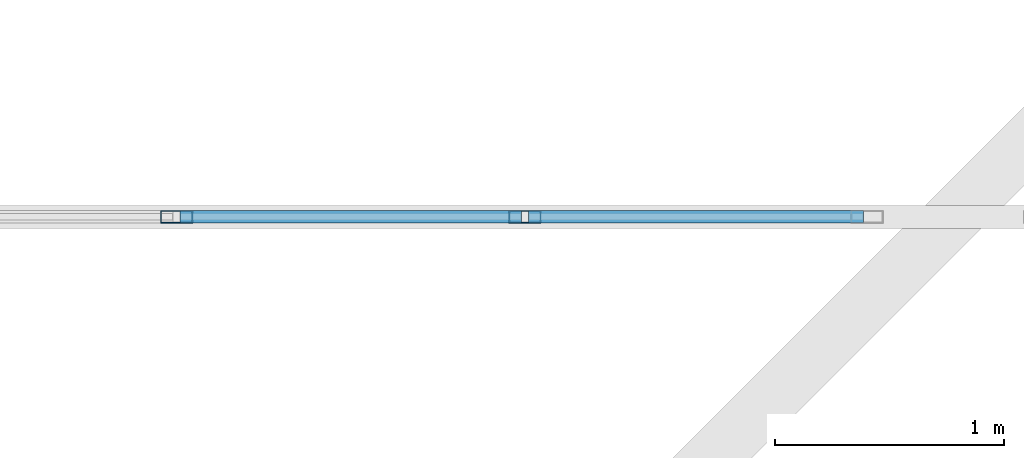
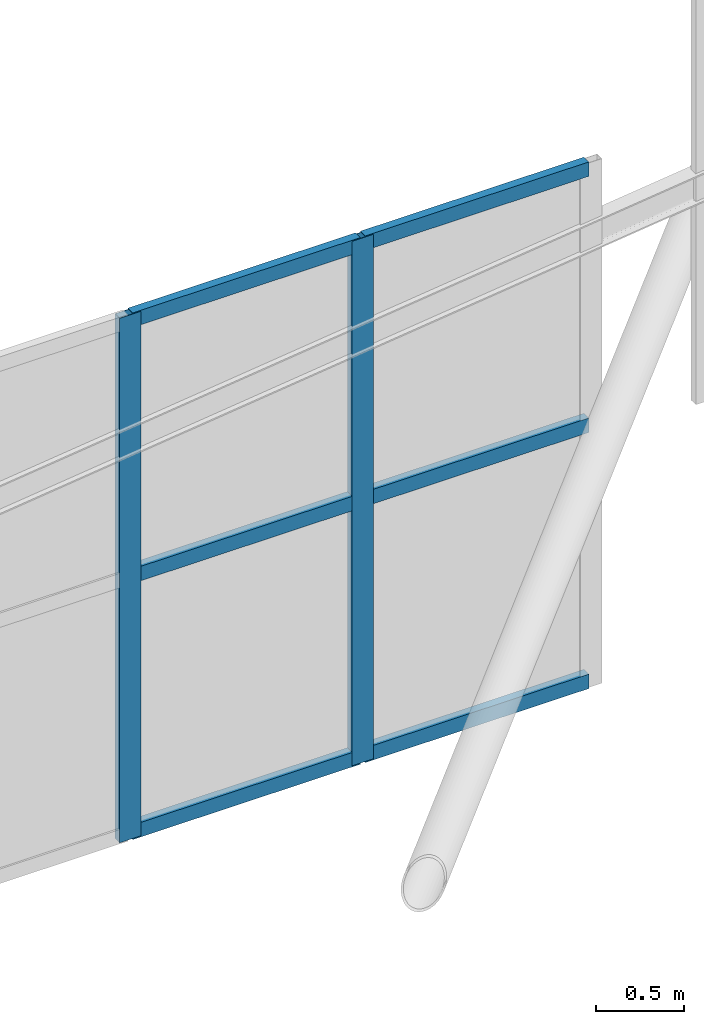
# One storey, part 28 of 397: 8 members, 1 element without a shape of its own.
"""IFC4 building model written with IfcOpenShell, lengths in metres."""

from ifc_helpers import new_model, si_unit, direction, frame, origin, origin_2d, place, context, subcontext, project, spatial, hollow_rectangle, extrude, material, material_profile, profile_set, type_object, element, aggregate, save


model = new_model("IFC4")

# Units and contexts
model_context = context("Model", 3, precision=1e-05, world=origin(), true_north=direction((0.0, 1.0)))
body_context = subcontext(model_context, "Body", "Model", "MODEL_VIEW")
ifc_project = project(units=[si_unit("LENGTHUNIT", "METRE"), si_unit("AREAUNIT", "SQUARE_METRE"), si_unit("VOLUMEUNIT", "CUBIC_METRE"), si_unit("PLANEANGLEUNIT", "RADIAN"), si_unit("MASSUNIT", "GRAM", prefix="KILO")], contexts=[model_context])

# Site, building, storey
site_placement = place(None, origin())
site = spatial("IfcSite", under=ifc_project, at=site_placement, CompositionType="ELEMENT")
building_placement = place(site_placement, origin())
building = spatial("IfcBuilding", under=site, at=building_placement, Name="Qandorah Velis Arena", CompositionType="ELEMENT")
storey_placement = place(building_placement, frame((0.0, 0.0, 27.5)))
storey = spatial("IfcBuildingStorey", under=building, at=storey_placement, Name="RF", CompositionType="ELEMENT", Elevation=27.5)

# Curtain wall, members
ifc_material_1 = material(Name="Solar-control low-E double glazing", Category="glass")
curtain_wall_type = type_object("IfcCurtainWallType", Name="ARC-CW-SYS19", PredefinedType="USERDEFINED", material=ifc_material_1)
curtain_wall_placement = place(storey_placement, origin())
curtain_wall = element("IfcCurtainWall", 1, at=curtain_wall_placement, inside=storey, type_object=curtain_wall_type, Name="Unitised curtain wall MON-3-1", ObjectType="UNITISED CURTAIN WALL", PredefinedType="USERDEFINED")
ifc_material_2 = material(Name="Champagne-bronze anodized aluminium 6063-T6", Category="aluminium")
ifc_material_profile_1 = material_profile(ifc_material_2, hollow_rectangle(XDim=0.054931640625, YDim=0.139892578125, WallThickness=0.0029296875, at=origin_2d()), Name="ALU MULLION 55x140")
ifc_profile_set_1 = profile_set([ifc_material_profile_1], Name="Champagne-bronze anodized aluminium 6063-T6")
member_type_1 = type_object("IfcMemberType", Name="ARC-CWM-140", PredefinedType="MULLION", material=ifc_profile_set_1)
member_1_placement = place(storey_placement, frame((32.60546875, 21.60009765625, 3.625732421875), z_axis=(0.0, 0.0, 1.0), x_axis=(0.0, 1.0, 0.0)))
member_1 = element("IfcMember", 2, at=member_1_placement, type_object=member_type_1, Name="CW19 mullion 8", PredefinedType="MULLION", context=body_context, shape_type="SweptSolid", body=[
    extrude(hollow_rectangle(XDim=0.054931640625, YDim=0.139892578125, WallThickness=0.0029296875, at=origin_2d()), origin(), (0.0, 0.0, 1.0), 3.630126953125),
])
member_2_placement = place(storey_placement, frame((34.127685546875, 21.60009765625, 3.625732421875), z_axis=(0.0, 0.0, 1.0), x_axis=(0.0, 1.0, 0.0)))
member_2 = element("IfcMember", 3, at=member_2_placement, type_object=member_type_1, Name="CW19 mullion 9", PredefinedType="MULLION", context=body_context, shape_type="SweptSolid", body=[
    extrude(hollow_rectangle(XDim=0.054931640625, YDim=0.139892578125, WallThickness=0.0029296875, at=origin_2d()), origin(), (0.0, 0.0, 1.0), 3.630126953125),
])
ifc_material_profile_2 = material_profile(ifc_material_2, hollow_rectangle(XDim=0.054931640625, YDim=0.10009765625, WallThickness=0.0029296875, at=origin_2d()), Name="ALU TRANSOM 55x100")
ifc_profile_set_2 = profile_set([ifc_material_profile_2], Name="Champagne-bronze anodized aluminium 6063-T6")
member_type_2 = type_object("IfcMemberType", Name="ARC-CWT-100", PredefinedType="USERDEFINED", material=ifc_profile_set_2)
member_3_placement = place(storey_placement, frame((32.62109375, 21.60009765625, 3.668212890625), z_axis=(1.0, 0.0, 0.0), x_axis=(0.0, 1.0, 0.0)))
member_3 = element("IfcMember", 4, at=member_3_placement, type_object=member_type_2, Name="CW19 transom 8.1", ObjectType="TRANSOM", PredefinedType="USERDEFINED", context=body_context, shape_type="SweptSolid", body=[
    extrude(hollow_rectangle(XDim=0.054931640625, YDim=0.10009765625, WallThickness=0.0029296875, at=origin_2d()), origin(), (0.0, 0.0, 1.0), 1.4912109375),
])
member_4_placement = place(storey_placement, frame((32.62109375, 21.60009765625, 5.44091796875), z_axis=(1.0, 0.0, 0.0), x_axis=(0.0, 1.0, 0.0)))
member_4 = element("IfcMember", 5, at=member_4_placement, type_object=member_type_2, Name="CW19 transom 8.2", ObjectType="TRANSOM", PredefinedType="USERDEFINED", context=body_context, shape_type="SweptSolid", body=[
    extrude(hollow_rectangle(XDim=0.054931640625, YDim=0.10009765625, WallThickness=0.0029296875, at=origin_2d()), origin(), (0.0, 0.0, 1.0), 1.4912109375),
])
member_5_placement = place(storey_placement, frame((32.62109375, 21.60009765625, 7.21337890625), z_axis=(1.0, 0.0, 0.0), x_axis=(0.0, 1.0, 0.0)))
member_5 = element("IfcMember", 6, at=member_5_placement, type_object=member_type_2, Name="CW19 transom 8.3", ObjectType="TRANSOM", PredefinedType="USERDEFINED", context=body_context, shape_type="SweptSolid", body=[
    extrude(hollow_rectangle(XDim=0.054931640625, YDim=0.10009765625, WallThickness=0.0029296875, at=origin_2d()), origin(), (0.0, 0.0, 1.0), 1.4912109375),
])
member_6_placement = place(storey_placement, frame((34.143310546875, 21.60009765625, 3.668212890625), z_axis=(1.0, 0.0, 0.0), x_axis=(0.0, 1.0, 0.0)))
member_6 = element("IfcMember", 7, at=member_6_placement, type_object=member_type_2, Name="CW19 transom 9.1", ObjectType="TRANSOM", PredefinedType="USERDEFINED", context=body_context, shape_type="SweptSolid", body=[
    extrude(hollow_rectangle(XDim=0.054931640625, YDim=0.10009765625, WallThickness=0.0029296875, at=origin_2d()), origin(), (0.0, 0.0, 1.0), 1.463623046875),
])
member_7_placement = place(storey_placement, frame((34.143310546875, 21.60009765625, 5.44091796875), z_axis=(1.0, 0.0, 0.0), x_axis=(0.0, 1.0, 0.0)))
member_7 = element("IfcMember", 8, at=member_7_placement, type_object=member_type_2, Name="CW19 transom 9.2", ObjectType="TRANSOM", PredefinedType="USERDEFINED", context=body_context, shape_type="SweptSolid", body=[
    extrude(hollow_rectangle(XDim=0.054931640625, YDim=0.10009765625, WallThickness=0.0029296875, at=origin_2d()), origin(), (0.0, 0.0, 1.0), 1.463623046875),
])
member_8_placement = place(storey_placement, frame((34.143310546875, 21.60009765625, 7.21337890625), z_axis=(1.0, 0.0, 0.0), x_axis=(0.0, 1.0, 0.0)))
member_8 = element("IfcMember", 9, at=member_8_placement, type_object=member_type_2, Name="CW19 transom 9.3", ObjectType="TRANSOM", PredefinedType="USERDEFINED", context=body_context, shape_type="SweptSolid", body=[
    extrude(hollow_rectangle(XDim=0.054931640625, YDim=0.10009765625, WallThickness=0.0029296875, at=origin_2d()), origin(), (0.0, 0.0, 1.0), 1.463623046875),
])
aggregate(curtain_wall, [member_1, member_2, member_3, member_4, member_5, member_6, member_7, member_8])

save(model, "model.ifc")
